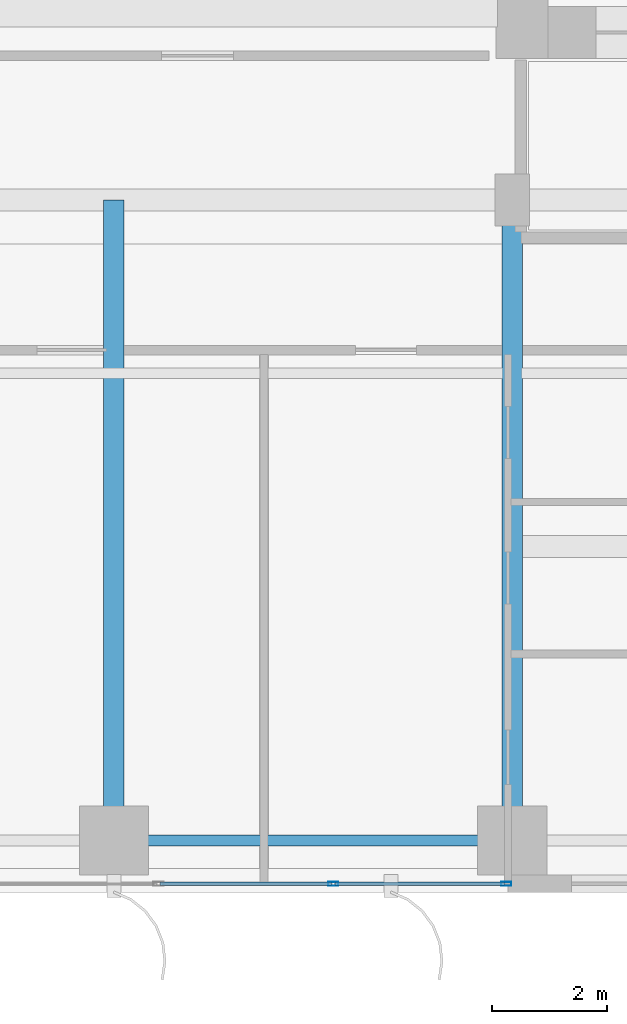
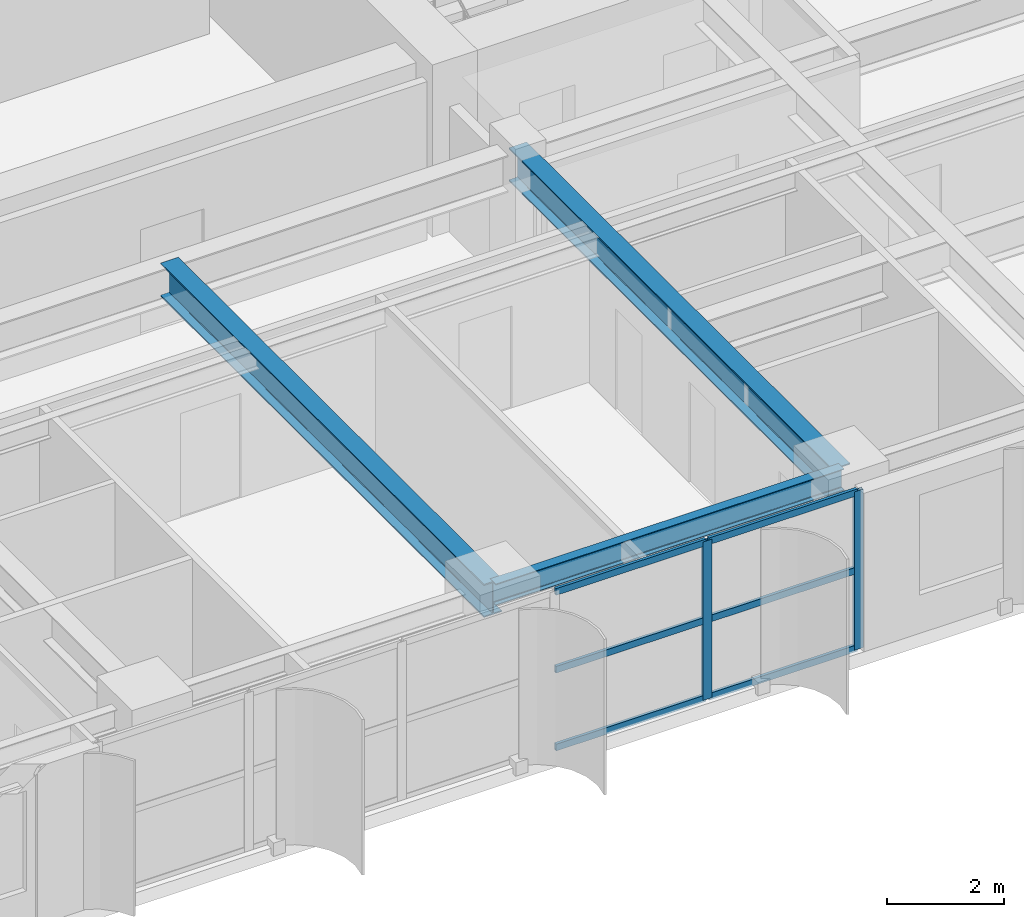
# One storey, part 3 of 23: 8 members, 3 beams, 1 element without a shape of its own.
"""IFC4 building model written with IfcOpenShell, lengths in metres."""

from ifc_helpers import new_model, si_unit, direction, frame, origin, origin_2d, place, context, subcontext, project, spatial, hollow_rectangle, i_section, extrude, source, transform, mapped, material, layer, layer_set, material_profile, profile_set, type_object, element, aggregate, save


model = new_model("IFC4")

# Units and contexts
model_context = context("Model", 3, precision=1e-05, world=origin(), true_north=direction((0.0, 1.0)))
body_context = subcontext(model_context, "Body", "Model", "MODEL_VIEW")
ifc_project = project(units=[si_unit("LENGTHUNIT", "METRE"), si_unit("AREAUNIT", "SQUARE_METRE"), si_unit("VOLUMEUNIT", "CUBIC_METRE"), si_unit("PLANEANGLEUNIT", "RADIAN"), si_unit("MASSUNIT", "GRAM", prefix="KILO")], contexts=[model_context])

# Site, building, storey
site_placement = place(None, origin())
site = spatial("IfcSite", under=ifc_project, at=site_placement, CompositionType="ELEMENT")
building_placement = place(site_placement, origin())
building = spatial("IfcBuilding", under=site, at=building_placement, Name="Khoralis Quay Care Tower", CompositionType="ELEMENT")
storey_placement = place(building_placement, frame((0.0, 0.0, 36.89990234375)))
storey = spatial("IfcBuildingStorey", under=building, at=storey_placement, Name="L09", CompositionType="ELEMENT", Elevation=36.89990234375)

# Beams
ifc_material_1 = material(Name="Steel S355", Category="steel")
ifc_material_profile_1 = material_profile(ifc_material_1, i_section(OverallWidth=0.18994140625, OverallDepth=0.449951171875, WebThickness=0.009521484375, FlangeThickness=0.0146484375, FilletRadius=0.02099609375, at=origin_2d()), Name="Steel S355")
ifc_profile_set_1 = profile_set([ifc_material_profile_1], Name="Steel S355")
beam_type_1 = type_object("IfcBeamType", Name="BM-IPE450", PredefinedType="SPANDREL", material=ifc_profile_set_1)
shared_shape_1 = source(origin(), body_context, "Body", "SweptSolid", [
    extrude(i_section(OverallWidth=0.18994140625, OverallDepth=0.449951171875, WebThickness=0.009521484375, FlangeThickness=0.0146484375, FilletRadius=0.02099609375, at=origin_2d()), origin(), (0.0, 0.0, 1.0), 6.89990234375),
])
beam_placement = place(storey_placement, frame((24.0, 0.89990234375, 3.09521484375), z_axis=(1.0, 0.0, 0.0), x_axis=(0.0, 1.0, 0.0)))
element("IfcBeam", 1, at=beam_placement, inside=storey, type_object=beam_type_1, Name="BM-TSP-L09-04", PredefinedType="SPANDREL", context=body_context, shape_type="MappedRepresentation", body=[
    mapped(shared_shape_1, transform((0.0, 0.0, 0.0), scale=1.0)),
])
ifc_material_profile_2 = material_profile(ifc_material_1, i_section(OverallWidth=0.35498046875, OverallDepth=0.695068359375, WebThickness=0.015380859375, FlangeThickness=0.02490234375, FilletRadius=0.02001953125, at=origin_2d()), Name="Steel S355")
ifc_profile_set_2 = profile_set([ifc_material_profile_2], Name="Steel S355")
beam_type_2 = type_object("IfcBeamType", Name="BM-W690X217", PredefinedType="BEAM", material=ifc_profile_set_2)
shared_shape_2 = source(origin(), body_context, "Body", "SweptSolid", [
    extrude(i_section(OverallWidth=0.35498046875, OverallDepth=0.695068359375, WebThickness=0.015380859375, FlangeThickness=0.02490234375, FilletRadius=0.02001953125, at=origin_2d()), origin(), (0.0, 0.0, 1.0), 11.10009765625),
])
for number, where, z_axis, x_axis, name in (
    (2, (24.0, 0.89990234375, 2.97265625), (0.0, 1.0, 0.0), (-1.0, 0.0, 0.0), "BM-TGYS-L09-240"),
    (3, (30.89990234375, 0.89990234375, 2.97265625), (0.0, 1.0, 0.0), (-1.0, 0.0, 0.0), "BM-TGYS-L09-309"),
):
    element("IfcBeam", number, at=place(storey_placement, frame(where, z_axis=z_axis, x_axis=x_axis)), inside=storey, type_object=beam_type_2, Name=name, PredefinedType="BEAM", context=body_context, shape_type="MappedRepresentation", body=[
        mapped(shared_shape_2, transform((0.0, 0.0, 0.0), scale=1.0)),
    ])

# Curtain wall, members
ifc_material_2 = material(Name="Pale anodised aluminium", Category="aluminium")
ifc_layer = layer(ifc_material_2, 0.179931640625)
ifc_layer_set = layer_set([ifc_layer], Name="Pale anodised aluminium")
curtain_wall_type = type_object("IfcCurtainWallType", Name="CW-SYS-Z1", PredefinedType="NOTDEFINED", material=ifc_layer_set)
curtain_wall_placement = place(storey_placement, origin())
curtain_wall = element("IfcCurtainWall", 4, at=curtain_wall_placement, inside=storey, type_object=curtain_wall_type, Name="L09 Unitised Curtain Wall CW-L09-P1-E0", PredefinedType="NOTDEFINED")
ifc_material_profile_3 = material_profile(ifc_material_2, hollow_rectangle(XDim=0.06494140625, YDim=0.179931640625, WallThickness=0.00390625, at=origin_2d()), Name="Pale anodised aluminium")
ifc_profile_set_3 = profile_set([ifc_material_profile_3], Name="Pale anodised aluminium")
member_type_1 = type_object("IfcMemberType", Name="CW-MUL-180", PredefinedType="MULLION", material=ifc_profile_set_3)
shared_shape_3 = source(origin(), body_context, "Body", "SweptSolid", [
    extrude(hollow_rectangle(XDim=0.06494140625, YDim=0.179931640625, WallThickness=0.00390625, at=origin_2d()), origin(), (0.0, 0.0, 1.0), 3.320068359375),
])
member_1_placement = place(storey_placement, frame((27.7998046875, 0.14990234375, 0.0), z_axis=(0.0, 0.0, 1.0), x_axis=(0.0, 1.0, 0.0)))
member_1 = element("IfcMember", 5, at=member_1_placement, type_object=member_type_1, Name="CW1 mullion 5", PredefinedType="MULLION", context=body_context, shape_type="MappedRepresentation", body=[
    mapped(shared_shape_3, transform((0.0, 0.0, 0.0), scale=1.0)),
])
member_2_placement = place(storey_placement, frame((30.798095703125, 0.14990234375, 0.0), z_axis=(0.0, 0.0, 1.0), x_axis=(0.0, 1.0, 0.0)))
member_2 = element("IfcMember", 6, at=member_2_placement, type_object=member_type_1, Name="CW1 mullion 6", PredefinedType="MULLION", context=body_context, shape_type="MappedRepresentation", body=[
    mapped(shared_shape_3, transform((0.0, 0.0, 0.0), scale=1.0)),
])
ifc_material_profile_4 = material_profile(ifc_material_2, hollow_rectangle(XDim=0.06005859375, YDim=0.139892578125, WallThickness=0.00390625, at=origin_2d()), Name="Pale anodised aluminium")
ifc_profile_set_4 = profile_set([ifc_material_profile_4], Name="Pale anodised aluminium")
member_type_2 = type_object("IfcMemberType", Name="CW-TRN-140", PredefinedType="USERDEFINED", material=ifc_profile_set_4)
shared_shape_4 = source(origin(), body_context, "Body", "SweptSolid", [
    extrude(hollow_rectangle(XDim=0.06005859375, YDim=0.139892578125, WallThickness=0.00390625, at=origin_2d()), origin(), (0.0, 0.0, 1.0), 2.938232421875),
])
member_3_placement = place(storey_placement, frame((27.829833984375, 0.14990234375, 0.030029296875), z_axis=(1.0, 0.0, 0.0), x_axis=(0.0, 1.0, 0.0)))
member_3 = element("IfcMember", 7, at=member_3_placement, type_object=member_type_2, Name="CW1 transom 5.1", ObjectType="TRANSOM", PredefinedType="USERDEFINED", context=body_context, shape_type="MappedRepresentation", body=[
    mapped(shared_shape_4, transform((0.0, 0.0, 0.0), scale=1.0)),
])
member_4_placement = place(storey_placement, frame((27.829833984375, 0.14990234375, 1.66015625), z_axis=(1.0, 0.0, 0.0), x_axis=(0.0, 1.0, 0.0)))
member_4 = element("IfcMember", 8, at=member_4_placement, type_object=member_type_2, Name="CW1 transom 5.2", ObjectType="TRANSOM", PredefinedType="USERDEFINED", context=body_context, shape_type="MappedRepresentation", body=[
    mapped(shared_shape_4, transform((0.0, 0.0, 0.0), scale=1.0)),
])
member_5_placement = place(storey_placement, frame((27.829833984375, 0.14990234375, 3.2900390625), z_axis=(1.0, 0.0, 0.0), x_axis=(0.0, 1.0, 0.0)))
member_5 = element("IfcMember", 9, at=member_5_placement, type_object=member_type_2, Name="CW1 transom 5.3", ObjectType="TRANSOM", PredefinedType="USERDEFINED", context=body_context, shape_type="MappedRepresentation", body=[
    mapped(shared_shape_4, transform((0.0, 0.0, 0.0), scale=1.0)),
])
shared_shape_5 = source(origin(), body_context, "Body", "SweptSolid", [
    extrude(hollow_rectangle(XDim=0.06005859375, YDim=0.139892578125, WallThickness=0.00390625, at=origin_2d()), origin(), (0.0, 0.0, 1.0), 2.96826171875),
])
member_6_placement = place(storey_placement, frame((24.801513671875, 0.14990234375, 0.030029296875), z_axis=(1.0, 0.0, 0.0), x_axis=(0.0, 1.0, 0.0)))
member_6 = element("IfcMember", 10, at=member_6_placement, type_object=member_type_2, Name="CW1 transom 4.1", ObjectType="TRANSOM", PredefinedType="USERDEFINED", context=body_context, shape_type="MappedRepresentation", body=[
    mapped(shared_shape_5, transform((0.0, 0.0, 0.0), scale=1.0)),
])
member_7_placement = place(storey_placement, frame((24.801513671875, 0.14990234375, 1.66015625), z_axis=(1.0, 0.0, 0.0), x_axis=(0.0, 1.0, 0.0)))
member_7 = element("IfcMember", 11, at=member_7_placement, type_object=member_type_2, Name="CW1 transom 4.2", ObjectType="TRANSOM", PredefinedType="USERDEFINED", context=body_context, shape_type="MappedRepresentation", body=[
    mapped(shared_shape_5, transform((0.0, 0.0, 0.0), scale=1.0)),
])
member_8_placement = place(storey_placement, frame((24.801513671875, 0.14990234375, 3.2900390625), z_axis=(1.0, 0.0, 0.0), x_axis=(0.0, 1.0, 0.0)))
member_8 = element("IfcMember", 12, at=member_8_placement, type_object=member_type_2, Name="CW1 transom 4.3", ObjectType="TRANSOM", PredefinedType="USERDEFINED", context=body_context, shape_type="MappedRepresentation", body=[
    mapped(shared_shape_5, transform((0.0, 0.0, 0.0), scale=1.0)),
])
aggregate(curtain_wall, [member_1, member_2, member_6, member_7, member_8, member_3, member_4, member_5])

save(model, "model.ifc")
